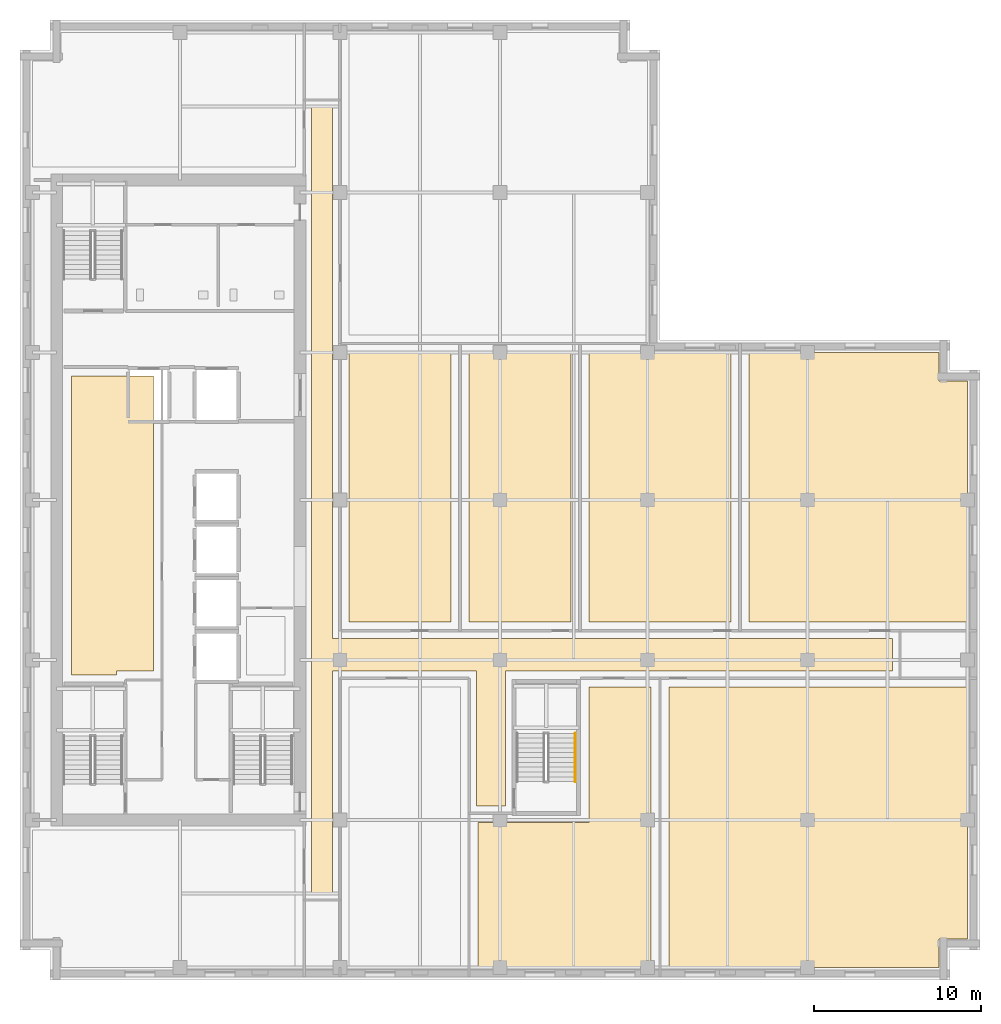
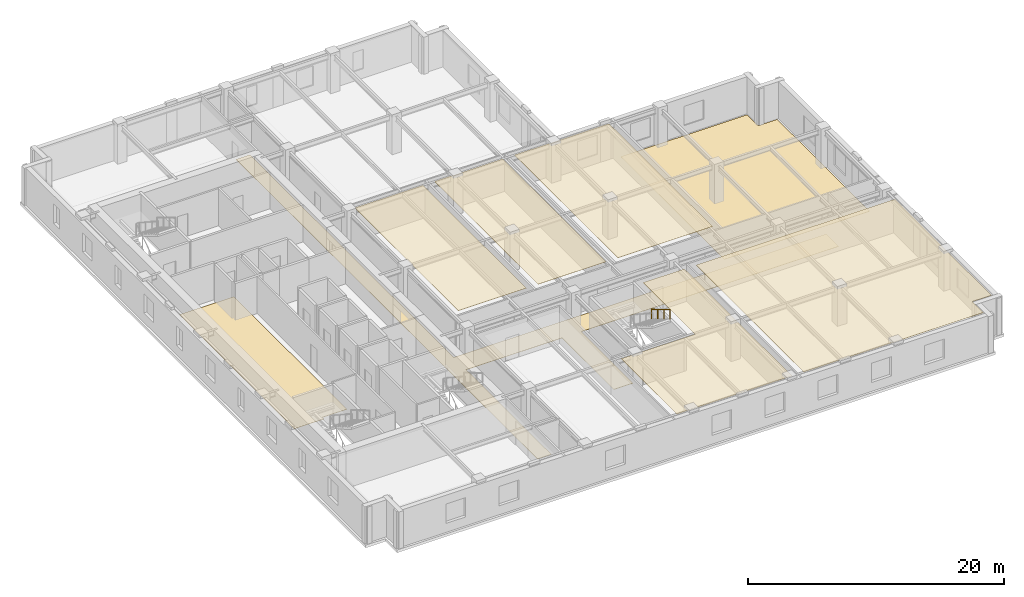
# One storey, part 9 of 11: 8 coverings, 1 railing.
"""IFC4 building model written with IfcOpenShell, lengths in metres."""

from ifc_helpers import new_model, si_unit, direction, frame, origin, origin_2d, place, context, subcontext, project, spatial, polyline, circle, outline, extrude, material, layer, layer_set, type_object, element, save


model = new_model("IFC4")

# Units and contexts
model_context = context("Model", 3, precision=1e-05, world=origin(), true_north=direction((0.0, 1.0)))
body_context = subcontext(model_context, "Body", "Model", "MODEL_VIEW")
ifc_project = project(units=[si_unit("LENGTHUNIT", "METRE"), si_unit("AREAUNIT", "SQUARE_METRE"), si_unit("VOLUMEUNIT", "CUBIC_METRE"), si_unit("PLANEANGLEUNIT", "RADIAN"), si_unit("MASSUNIT", "GRAM", prefix="KILO")], contexts=[model_context])

# Site, building, storey
site_placement = place(None, origin())
site = spatial("IfcSite", under=ifc_project, at=site_placement, CompositionType="ELEMENT")
building_placement = place(site_placement, origin())
building = spatial("IfcBuilding", under=site, at=building_placement, Name="Norrvale University Quadrangle", CompositionType="ELEMENT")
storey_placement = place(building_placement, frame((0.0, 0.0, 210.39990234375)))
storey = spatial("IfcBuildingStorey", under=building, at=storey_placement, Name="L53", CompositionType="ELEMENT", Elevation=210.39990234375)

# Coverings
ifc_material_1 = material(Name="Perforated Acoustic Mineral Ceiling")
ifc_layer_1 = layer(ifc_material_1, 0.02490234375, Name="Perforated Acoustic Mineral Ceiling")
ifc_layer_set_1 = layer_set([ifc_layer_1], Name="Perforated Acoustic Mineral Ceiling")
covering_type_1 = type_object("IfcCoveringType", Name="Covering Acoustic Ceiling 25", PredefinedType="CEILING", material=ifc_layer_set_1)
covering_1_placement = place(storey_placement, frame((0.0, 0.0, 3.51513671875)))
element("IfcCovering", 1, at=covering_1_placement, inside=storey, type_object=covering_type_1, Name="Acoustic Ceiling RM-L53-SE2", PredefinedType="CEILING", context=body_context, shape_type="SweptSolid", body=[
    extrude(outline(polyline([(27.47998046875, 9.449951171875), (34.14990234375, 9.449951171875), (34.14990234375, 17.570068359375), (37.8701171875, 17.570068359375), (37.8701171875, 0.75), (27.47998046875, 0.75), (27.47998046875, 9.449951171875)])), origin(), (0.0, 0.0, 1.0), 0.02490234375),
])
covering_2_placement = place(storey_placement, frame((0.0, 0.0, 3.51513671875)))
element("IfcCovering", 2, at=covering_2_placement, inside=storey, type_object=covering_type_1, Name="Acoustic Ceiling RM-L53-SE3", PredefinedType="CEILING", context=body_context, shape_type="SweptSolid", body=[
    extrude(outline(polyline([(38.929931640625, 0.75), (38.929931640625, 17.570068359375), (56.85009765625, 17.570068359375), (56.85009765625, 2.469970703125), (55.1298828125, 2.469970703125), (55.1298828125, 0.75), (38.929931640625, 0.75)])), origin(), (0.0, 0.0, 1.0), 0.02490234375),
])
covering_3_placement = place(storey_placement, frame((0.0, 0.0, 3.51513671875)))
element("IfcCovering", 3, at=covering_3_placement, inside=storey, type_object=covering_type_1, Name="Acoustic Ceiling RM-L53-ME01", PredefinedType="CEILING", context=body_context, shape_type="SweptSolid", body=[
    extrude(outline(polyline([(19.72998046875, 37.64990234375), (25.8701171875, 37.64990234375), (25.8701171875, 21.47998046875), (19.72998046875, 21.47998046875), (19.72998046875, 37.64990234375)])), origin(), (0.0, 0.0, 1.0), 0.02490234375),
])
covering_4_placement = place(storey_placement, frame((0.0, 0.0, 3.51513671875)))
element("IfcCovering", 4, at=covering_4_placement, inside=storey, type_object=covering_type_1, Name="Acoustic Ceiling RM-L53-ME02", PredefinedType="CEILING", context=body_context, shape_type="SweptSolid", body=[
    extrude(outline(polyline([(26.929931640625, 37.64990234375), (33.070068359375, 37.64990234375), (33.070068359375, 21.47998046875), (26.929931640625, 21.47998046875), (26.929931640625, 37.64990234375)])), origin(), (0.0, 0.0, 1.0), 0.02490234375),
])
covering_5_placement = place(storey_placement, frame((0.0, 0.0, 3.51513671875)))
element("IfcCovering", 5, at=covering_5_placement, inside=storey, type_object=covering_type_1, Name="Acoustic Ceiling RM-L53-ME03", PredefinedType="CEILING", context=body_context, shape_type="SweptSolid", body=[
    extrude(outline(polyline([(34.1298828125, 37.64990234375), (42.669921875, 37.64990234375), (42.669921875, 21.47998046875), (34.1298828125, 21.47998046875), (34.1298828125, 37.64990234375)])), origin(), (0.0, 0.0, 1.0), 0.02490234375),
])
ifc_material_2 = material(Name="Polished Terrazzo Flooring")
ifc_layer_2 = layer(ifc_material_2, 0.02490234375, Name="Polished Terrazzo Flooring")
ifc_layer_set_2 = layer_set([ifc_layer_2], Name="Polished Terrazzo Flooring")
covering_type_2 = type_object("IfcCoveringType", Name="Covering Terrazzo Floor 30", PredefinedType="FLOORING", material=ifc_layer_set_2)
covering_6_placement = place(storey_placement, origin())
element("IfcCovering", 6, at=covering_6_placement, inside=storey, type_object=covering_type_2, Name="Terrazzo Flooring RM-L53-REC2", PredefinedType="FLOORING", context=body_context, shape_type="SweptSolid", body=[
    extrude(outline(polyline([(3.10009765625, 18.300048828125), (3.10009765625, 36.25), (8.0, 36.25), (8.0, 18.550048828125), (5.800048828125, 18.550048828125), (5.800048828125, 18.300048828125), (3.10009765625, 18.300048828125)])), origin(), (0.0, 0.0, 1.0), 0.025146484375),
])
covering_7_placement = place(storey_placement, origin())
element("IfcCovering", 7, at=covering_7_placement, inside=storey, type_object=covering_type_2, Name="Terrazzo Flooring RM-L53-CORR1", PredefinedType="FLOORING", context=body_context, shape_type="SweptSolid", body=[
    extrude(outline(polyline([(17.5, 5.25), (17.5, 52.35009765625), (18.75, 52.35009765625), (18.75, 20.5), (52.35009765625, 20.5), (52.35009765625, 18.550048828125), (29.1298828125, 18.550048828125), (29.1298828125, 10.449951171875), (27.39990234375, 10.449951171875), (27.39990234375, 18.550048828125), (18.75, 18.550048828125), (18.75, 5.25), (17.5, 5.25)])), origin(), (0.0, 0.0, 1.0), 0.025146484375),
])
covering_8_placement = place(storey_placement, origin())
element("IfcCovering", 8, at=covering_8_placement, inside=storey, type_object=covering_type_2, Name="Terrazzo Flooring RM-L53-ME04", PredefinedType="FLOORING", context=body_context, shape_type="SweptSolid", body=[
    extrude(outline(polyline([(56.85009765625, 21.47998046875), (43.72998046875, 21.47998046875), (43.72998046875, 37.64990234375), (55.1298828125, 37.64990234375), (55.1298828125, 35.929931640625), (56.85009765625, 35.929931640625), (56.85009765625, 21.47998046875)])), origin(), (0.0, 0.0, 1.0), 0.025146484375),
])

# Railing
ifc_material_3 = material(Name="Stainless Steel 316L Handrail", Category="steel")
railing_type = type_object("IfcRailingType", Name="Railing Stair Handrail 920", PredefinedType="HANDRAIL", material=ifc_material_3)
railing_placement = place(storey_placement, frame((33.31005859375, 14.800048828125, 2.07275390625)))
element("IfcRailing", 9, at=railing_placement, inside=storey, type_object=railing_type, Name="Stair Upper Flight Handrail ST-04 L53", PredefinedType="HANDRAIL", context=body_context, shape_type="SweptSolid", body=[
    extrude(circle(Radius=0.02392578125, at=origin_2d()), frame((0.0, 0.0, 0.89599609375), z_axis=(0.0, -0.859160404282, 0.51170636083), x_axis=(1.0, 0.0, 0.0)), (0.0, 0.0, 1.0), 3.37548828125),
    extrude(circle(Radius=0.02099609375, at=origin_2d()), origin(), (0.0, 0.0, 1.0), 0.871826171875),
    extrude(circle(Radius=0.02099609375, at=origin_2d()), frame((0.0, -0.966796875, 0.57568359375)), (0.0, 0.0, 1.0), 0.871826171875),
    extrude(circle(Radius=0.02099609375, at=origin_2d()), frame((0.0, -1.933349609375, 1.151611328125)), (0.0, 0.0, 1.0), 0.871826171875),
    extrude(circle(Radius=0.02099609375, at=origin_2d()), frame((0.0, -2.900146484375, 1.727294921875)), (0.0, 0.0, 1.0), 0.871826171875),
])

save(model, "model.ifc")
